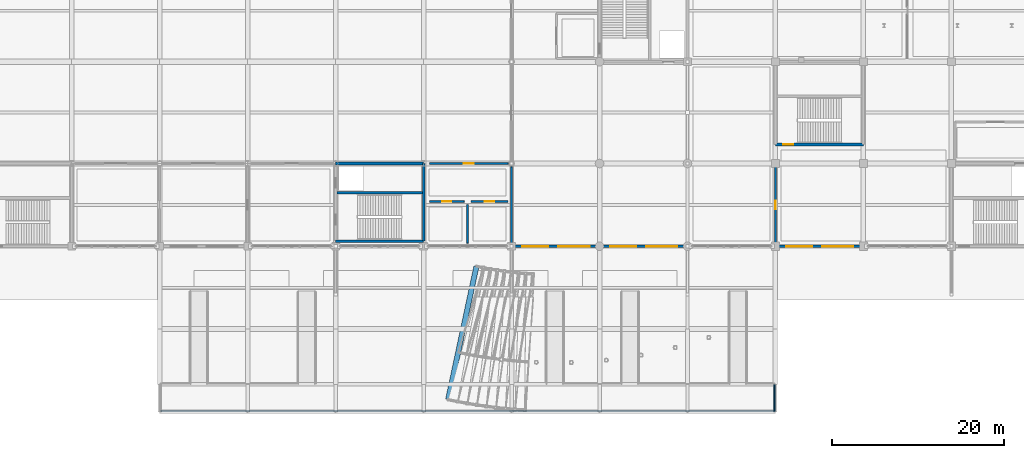
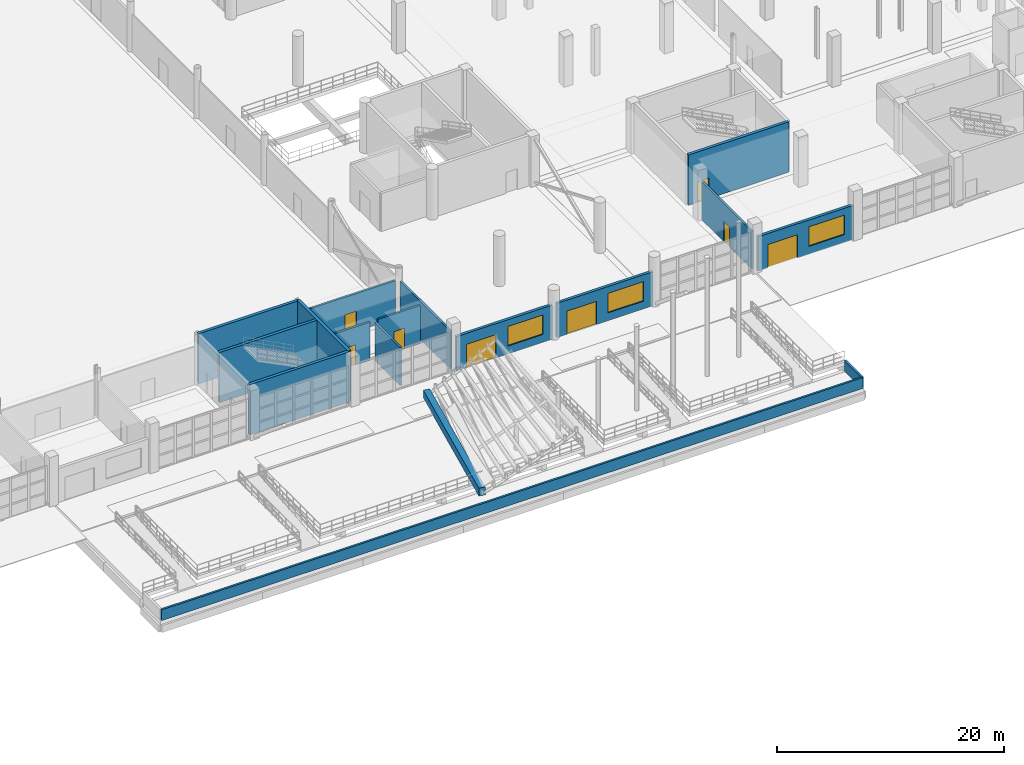
# One storey, part 91 of 124: 17 walls, 8 doors, 3 windows, 11 openings.
"""IFC4 building model written with IfcOpenShell, lengths in metres."""

from ifc_helpers import new_model, si_unit, direction, frame, frame_2d, origin, place, context, subcontext, project, spatial, rectangle, extrude, material, layer, layer_set, type_object, element, fill, save


model = new_model("IFC4")

# Units and contexts
model_context = context("Model", 3, precision=1e-05, world=origin(), true_north=direction((0.0, 1.0)))
body_context = subcontext(model_context, "Body", "Model", "MODEL_VIEW")
ifc_project = project(units=[si_unit("LENGTHUNIT", "METRE"), si_unit("AREAUNIT", "SQUARE_METRE"), si_unit("VOLUMEUNIT", "CUBIC_METRE"), si_unit("PLANEANGLEUNIT", "RADIAN"), si_unit("MASSUNIT", "GRAM", prefix="KILO")], contexts=[model_context])

# Site, building, storey
site_placement = place(None, origin())
site = spatial("IfcSite", under=ifc_project, at=site_placement, CompositionType="ELEMENT")
building_placement = place(site_placement, origin())
building = spatial("IfcBuilding", under=site, at=building_placement, Name="Brelvane Convention Centre", CompositionType="ELEMENT")
storey_placement = place(building_placement, origin())
storey = spatial("IfcBuildingStorey", under=building, at=storey_placement, Name="L00", CompositionType="ELEMENT", Elevation=0.0)

# Wall, openings, door, window
ifc_material_1 = material(Name="Insulated Autoclaved Aerated Concrete Block Grade 1", Category="concrete")
ifc_layer_1 = layer(ifc_material_1, 0.280029296875)
ifc_layer_set_1 = layer_set([ifc_layer_1], Name="Insulated Autoclaved Aerated Concrete Block Grade 1")
wall_type_1 = type_object("IfcWallType", Name="Exterior Wall EW-01", PredefinedType="STANDARD", material=ifc_layer_set_1)
wall_1_placement = place(storey_placement, frame((143.0400390625, 19.199951171875, 0.0), z_axis=(0.0, 0.0, 1.0), x_axis=(1.0, 0.0, 0.0)))
wall_1 = element("IfcWall", 1, at=wall_1_placement, inside=storey, type_object=wall_type_1, Name="Exterior Wall L00 V1S-B15", PredefinedType="STANDARD", context=body_context, shape_type="SweptSolid", body=[
    extrude(rectangle(XDim=9.719970703125, YDim=0.280029296875, at=frame_2d((4.85986328125, 0.0))), origin(), (0.0, 0.0, 1.0), 3.679931640625),
])
opening_1_placement = place(wall_1_placement, frame((1.027099609375, 0.0, 0.0)))
opening_1 = element("IfcOpeningElement", 2, at=opening_1_placement, cuts=wall_1, Name="Opening DR-EX-01", PredefinedType="OPENING", context=body_context, shape_type="SweptSolid", body=[
    extrude(rectangle(XDim=3.0, YDim=2.5, at=frame_2d((1.5, 1.25))), frame((0.0, 0.14990234375, 0.0), z_axis=(0.0, -1.0, 0.0), x_axis=(1.0, 0.0, 0.0)), (0.0, 0.0, 1.0), 0.300048828125),
])
opening_2_placement = place(wall_1_placement, frame((5.197998046875, 0.0, 0.85009765625)))
opening_2 = element("IfcOpeningElement", 3, at=opening_2_placement, cuts=wall_1, Name="Opening WN-03", PredefinedType="OPENING", context=body_context, shape_type="SweptSolid", body=[
    extrude(rectangle(XDim=3.60009765625, YDim=2.10009765625, at=frame_2d((1.800048828125, 1.050048828125))), frame((0.0, 0.14990234375, 0.0), z_axis=(0.0, -1.0, 0.0), x_axis=(1.0, 0.0, 0.0)), (0.0, 0.0, 1.0), 0.300048828125),
])
ifc_material_2 = material(Name="Anodised Aluminium Alloy 6063-T6", Category="aluminium")
door_type_1 = type_object("IfcDoorType", Name="Exterior Door DR-EX-01", OperationType="NOTDEFINED", PredefinedType="DOOR", material=ifc_material_2)
door_1_placement = place(opening_1_placement, frame((3.0, 0.0, 0.0), z_axis=(0.0, 0.0, 1.0), x_axis=(-1.0, 0.0, 0.0)))
door_1 = element("IfcDoor", 4, at=door_1_placement, inside=storey, type_object=door_type_1, Name="Final Exit Door CONC-S15A (DR-EX-01)", OperationType="DOUBLE_DOOR_SINGLE_SWING", OverallHeight=2.5, OverallWidth=3.0, PredefinedType="DOOR", context=body_context, shape_type="SweptSolid", body=[
    extrude(rectangle(XDim=3.0, YDim=2.5, at=frame_2d((1.5, 1.25))), frame((0.0, 0.02490234375, 0.0), z_axis=(0.0, -1.0, 0.0), x_axis=(1.0, 0.0, 0.0)), (0.0, 0.0, 1.0), 0.050048828125),
])
fill(opening_1, door_1)
ifc_material_3 = material(Name="Double Glazed Low-E Laminated Unit")
window_type = type_object("IfcWindowType", Name="Window WN-03", PartitioningType="TRIPLE_PANEL_VERTICAL", PredefinedType="WINDOW", material=ifc_material_3)
window_1_placement = place(opening_2_placement, origin())
window_1 = element("IfcWindow", 5, at=window_1_placement, inside=storey, type_object=window_type, Name="Facade Window L00-V1S-B15-005", OverallHeight=2.10009765625, OverallWidth=3.60009765625, PartitioningType="TRIPLE_PANEL_VERTICAL", PredefinedType="WINDOW", context=body_context, shape_type="SweptSolid", body=[
    extrude(rectangle(XDim=3.60009765625, YDim=2.10009765625, at=frame_2d((1.800048828125, 1.050048828125))), frame((0.0, 0.030029296875, 0.0), z_axis=(0.0, -1.0, 0.0), x_axis=(1.0, 0.0, 0.0)), (0.0, 0.0, 1.0), 0.06005859375),
])
fill(opening_2, window_1)

wall_2_placement = place(storey_placement, frame((153.239990234375, 19.199951171875, 0.0), z_axis=(0.0, 0.0, 1.0), x_axis=(1.0, 0.0, 0.0)))
wall_2 = element("IfcWall", 6, at=wall_2_placement, inside=storey, type_object=wall_type_1, Name="Exterior Wall L00 V1S-B16", PredefinedType="STANDARD", context=body_context, shape_type="SweptSolid", body=[
    extrude(rectangle(XDim=9.719970703125, YDim=0.280029296875, at=frame_2d((4.85986328125, 0.0))), origin(), (0.0, 0.0, 1.0), 3.679931640625),
])
opening_3_placement = place(wall_2_placement, frame((1.027099609375, 0.0, 0.0)))
opening_3 = element("IfcOpeningElement", 7, at=opening_3_placement, cuts=wall_2, Name="Opening DR-EX-01", PredefinedType="OPENING", context=body_context, shape_type="SweptSolid", body=[
    extrude(rectangle(XDim=3.0, YDim=2.5, at=frame_2d((1.5, 1.25))), frame((0.0, 0.14990234375, 0.0), z_axis=(0.0, -1.0, 0.0), x_axis=(1.0, 0.0, 0.0)), (0.0, 0.0, 1.0), 0.300048828125),
])
opening_4_placement = place(wall_2_placement, frame((5.197998046875, 0.0, 0.85009765625)))
opening_4 = element("IfcOpeningElement", 8, at=opening_4_placement, cuts=wall_2, Name="Opening WN-03", PredefinedType="OPENING", context=body_context, shape_type="SweptSolid", body=[
    extrude(rectangle(XDim=3.60009765625, YDim=2.10009765625, at=frame_2d((1.800048828125, 1.050048828125))), frame((0.0, 0.14990234375, 0.0), z_axis=(0.0, -1.0, 0.0), x_axis=(1.0, 0.0, 0.0)), (0.0, 0.0, 1.0), 0.300048828125),
])
door_2_placement = place(opening_3_placement, frame((3.0, 0.0, 0.0), z_axis=(0.0, 0.0, 1.0), x_axis=(-1.0, 0.0, 0.0)))
door_2 = element("IfcDoor", 9, at=door_2_placement, inside=storey, type_object=door_type_1, Name="Final Exit Door CONC-S16A (DR-EX-01)", OperationType="DOUBLE_DOOR_SINGLE_SWING", OverallHeight=2.5, OverallWidth=3.0, PredefinedType="DOOR", context=body_context, shape_type="SweptSolid", body=[
    extrude(rectangle(XDim=3.0, YDim=2.5, at=frame_2d((1.5, 1.25))), frame((0.0, 0.02490234375, 0.0), z_axis=(0.0, -1.0, 0.0), x_axis=(1.0, 0.0, 0.0)), (0.0, 0.0, 1.0), 0.050048828125),
])
fill(opening_3, door_2)
window_2_placement = place(opening_4_placement, origin())
window_2 = element("IfcWindow", 10, at=window_2_placement, inside=storey, type_object=window_type, Name="Facade Window L00-V1S-B16-006", OverallHeight=2.10009765625, OverallWidth=3.60009765625, PartitioningType="TRIPLE_PANEL_VERTICAL", PredefinedType="WINDOW", context=body_context, shape_type="SweptSolid", body=[
    extrude(rectangle(XDim=3.60009765625, YDim=2.10009765625, at=frame_2d((1.800048828125, 1.050048828125))), frame((0.0, 0.030029296875, 0.0), z_axis=(0.0, -1.0, 0.0), x_axis=(1.0, 0.0, 0.0)), (0.0, 0.0, 1.0), 0.06005859375),
])
fill(opening_4, window_2)

wall_3_placement = place(storey_placement, frame((173.639892578125, 19.199951171875, 0.0), z_axis=(0.0, 0.0, 1.0), x_axis=(1.0, 0.0, 0.0)))
wall_3 = element("IfcWall", 11, at=wall_3_placement, inside=storey, type_object=wall_type_1, Name="Exterior Wall L00 V1S-B18", PredefinedType="STANDARD", context=body_context, shape_type="SweptSolid", body=[
    extrude(rectangle(XDim=9.72021484375, YDim=0.280029296875, at=frame_2d((4.860107421875, 0.0))), origin(), (0.0, 0.0, 1.0), 3.679931640625),
])
opening_5_placement = place(wall_3_placement, frame((1.027099609375, 0.0, 0.0)))
opening_5 = element("IfcOpeningElement", 12, at=opening_5_placement, cuts=wall_3, Name="Opening DR-EX-01", PredefinedType="OPENING", context=body_context, shape_type="SweptSolid", body=[
    extrude(rectangle(XDim=3.0, YDim=2.5, at=frame_2d((1.5, 1.25))), frame((0.0, 0.14990234375, 0.0), z_axis=(0.0, -1.0, 0.0), x_axis=(1.0, 0.0, 0.0)), (0.0, 0.0, 1.0), 0.300048828125),
])
opening_6_placement = place(wall_3_placement, frame((5.197998046875, 0.0, 0.85009765625)))
opening_6 = element("IfcOpeningElement", 13, at=opening_6_placement, cuts=wall_3, Name="Opening WN-03", PredefinedType="OPENING", context=body_context, shape_type="SweptSolid", body=[
    extrude(rectangle(XDim=3.60009765625, YDim=2.10009765625, at=frame_2d((1.800048828125, 1.050048828125))), frame((0.0, 0.14990234375, 0.0), z_axis=(0.0, -1.0, 0.0), x_axis=(1.0, 0.0, 0.0)), (0.0, 0.0, 1.0), 0.300048828125),
])
door_3_placement = place(opening_5_placement, frame((3.0, 0.0, 0.0), z_axis=(0.0, 0.0, 1.0), x_axis=(-1.0, 0.0, 0.0)))
door_3 = element("IfcDoor", 14, at=door_3_placement, inside=storey, type_object=door_type_1, Name="Final Exit Door CONC-S18A (DR-EX-01)", OperationType="DOUBLE_DOOR_SINGLE_SWING", OverallHeight=2.5, OverallWidth=3.0, PredefinedType="DOOR", context=body_context, shape_type="SweptSolid", body=[
    extrude(rectangle(XDim=3.0, YDim=2.5, at=frame_2d((1.5, 1.25))), frame((0.0, 0.02490234375, 0.0), z_axis=(0.0, -1.0, 0.0), x_axis=(1.0, 0.0, 0.0)), (0.0, 0.0, 1.0), 0.050048828125),
])
fill(opening_5, door_3)
window_3_placement = place(opening_6_placement, origin())
window_3 = element("IfcWindow", 15, at=window_3_placement, inside=storey, type_object=window_type, Name="Facade Window L00-V1S-B18-007", OverallHeight=2.10009765625, OverallWidth=3.60009765625, PartitioningType="TRIPLE_PANEL_VERTICAL", PredefinedType="WINDOW", context=body_context, shape_type="SweptSolid", body=[
    extrude(rectangle(XDim=3.60009765625, YDim=2.10009765625, at=frame_2d((1.800048828125, 1.050048828125))), frame((0.0, 0.030029296875, 0.0), z_axis=(0.0, -1.0, 0.0), x_axis=(1.0, 0.0, 0.0)), (0.0, 0.0, 1.0), 0.06005859375),
])
fill(opening_6, window_3)

# Walls
ifc_material_4 = material(Name="Concrete M40", Category="concrete")
ifc_layer_2 = layer(ifc_material_4, 0.199951171875)
ifc_layer_set_2 = layer_set([ifc_layer_2], Name="Concrete M40")
wall_type_2 = type_object("IfcWallType", Name="Exterior Wall PW-01", PredefinedType="PARAPET", material=ifc_layer_set_2)
wall_4_placement = place(storey_placement, frame((102.10009765625, 0.10009765625, -0.89990234375), z_axis=(0.0, 0.0, 1.0), x_axis=(1.0, 0.0, 0.0)))
element("IfcWall", 16, at=wall_4_placement, inside=storey, type_object=wall_type_2, Name="Lower Boulevard Promenade Parapet 2", PredefinedType="PARAPET", context=body_context, shape_type="SweptSolid", body=[
    extrude(rectangle(XDim=71.199951171875, YDim=0.199951171875, at=frame_2d((35.60009765625, 0.0))), origin(), (0.0, 0.0, 1.0), 1.14990234375),
])
wall_5_placement = place(storey_placement, frame((173.300048828125, 0.10009765625, -0.89990234375), z_axis=(0.0, 0.0, 1.0), x_axis=(0.0, 1.0, 0.0)))
element("IfcWall", 17, at=wall_5_placement, inside=storey, type_object=wall_type_2, Name="Lower Boulevard Promenade Parapet 3", PredefinedType="PARAPET", context=body_context, shape_type="SweptSolid", body=[
    extrude(rectangle(XDim=3.02001953125, YDim=0.199951171875, at=frame_2d((1.510009765625, 0.0))), origin(), (0.0, 0.0, 1.0), 1.14990234375),
])

# Wall, opening, door
ifc_material_5 = material(Name="Fire-Rated Acoustic Gypsum Partition Board Grade A")
ifc_layer_3 = layer(ifc_material_5, 0.199951171875)
ifc_layer_set_3 = layer_set([ifc_layer_3], Name="Fire-Rated Acoustic Gypsum Partition Board Grade A")
wall_type_3 = type_object("IfcWallType", Name="Interior Wall IW-FR-200", PredefinedType="PARTITIONING", material=ifc_layer_set_3)
wall_6_placement = place(storey_placement, frame((133.300048828125, 24.39990234375, 0.0), z_axis=(0.0, 0.0, 1.0), x_axis=(1.0, 0.0, 0.0)))
wall_6 = element("IfcWall", 18, at=wall_6_placement, inside=storey, type_object=wall_type_3, Name="Interior Partition L00-WC-M0", PredefinedType="PARTITIONING", context=body_context, shape_type="SweptSolid", body=[
    extrude(rectangle(XDim=4.0, YDim=0.199951171875, at=frame_2d((2.0, 0.0))), origin(), (0.0, 0.0, 1.0), 4.080078125),
])
opening_7_placement = place(wall_6_placement, frame((1.47509765625, 0.0, 0.0)))
opening_7 = element("IfcOpeningElement", 19, at=opening_7_placement, cuts=wall_6, Name="Opening DR-IN-01R", PredefinedType="OPENING", context=body_context, shape_type="SweptSolid", body=[
    extrude(rectangle(XDim=1.050048828125, YDim=2.14990234375, at=frame_2d((0.52490234375, 1.074951171875))), frame((0.0, 0.10986328125, 0.0), z_axis=(0.0, -1.0, 0.0), x_axis=(1.0, 0.0, 0.0)), (0.0, 0.0, 1.0), 0.219970703125),
])
ifc_material_6 = material(Name="Solid-Core Fire-Rated Hardwood Leaf Grade 1", Category="wood")
door_type_2 = type_object("IfcDoorType", Name="Interior Door DR-IN-01R", OperationType="NOTDEFINED", PredefinedType="DOOR", material=ifc_material_6)
door_4_placement = place(opening_7_placement, origin())
door_4 = element("IfcDoor", 20, at=door_4_placement, inside=storey, type_object=door_type_2, Name="Interior Door L00-WC-M0 (DR-IN-01R)", OperationType="SINGLE_SWING_RIGHT", OverallHeight=2.14990234375, OverallWidth=1.050048828125, PredefinedType="DOOR", context=body_context, shape_type="SweptSolid", body=[
    extrude(rectangle(XDim=1.050048828125, YDim=2.14990234375, at=frame_2d((0.52490234375, 1.074951171875))), frame((0.0, 0.02490234375, 0.0), z_axis=(0.0, -1.0, 0.0), x_axis=(1.0, 0.0, 0.0)), (0.0, 0.0, 1.0), 0.050048828125),
])
fill(opening_7, door_4)

wall_7_placement = place(storey_placement, frame((138.10009765625, 24.39990234375, 0.0), z_axis=(0.0, 0.0, 1.0), x_axis=(1.0, 0.0, 0.0)))
wall_7 = element("IfcWall", 21, at=wall_7_placement, inside=storey, type_object=wall_type_3, Name="Interior Partition L00-WC-F0", PredefinedType="PARTITIONING", context=body_context, shape_type="SweptSolid", body=[
    extrude(rectangle(XDim=4.2998046875, YDim=0.199951171875, at=frame_2d((2.14990234375, 0.0))), origin(), (0.0, 0.0, 1.0), 4.080078125),
])
opening_8_placement = place(wall_7_placement, frame((1.60009765625, 0.0, 0.0)))
opening_8 = element("IfcOpeningElement", 22, at=opening_8_placement, cuts=wall_7, Name="Opening DR-IN-02L", PredefinedType="OPENING", context=body_context, shape_type="SweptSolid", body=[
    extrude(rectangle(XDim=1.10009765625, YDim=2.199951171875, at=frame_2d((0.550048828125, 1.10009765625))), frame((0.0, 0.10986328125, 0.0), z_axis=(0.0, -1.0, 0.0), x_axis=(1.0, 0.0, 0.0)), (0.0, 0.0, 1.0), 0.219970703125),
])
ifc_material_7 = material(Name="Solid-Core Fire-Rated Hardwood Leaf Grade 1", Category="wood")
door_type_3 = type_object("IfcDoorType", Name="Interior Door DR-IN-02L", OperationType="NOTDEFINED", PredefinedType="DOOR", material=ifc_material_7)
door_5_placement = place(opening_8_placement, origin())
door_5 = element("IfcDoor", 23, at=door_5_placement, inside=storey, type_object=door_type_3, Name="Interior Door L00-WC-F0 (DR-IN-02L)", OperationType="SINGLE_SWING_LEFT", OverallHeight=2.199951171875, OverallWidth=1.10009765625, PredefinedType="DOOR", context=body_context, shape_type="SweptSolid", body=[
    extrude(rectangle(XDim=1.10009765625, YDim=2.199951171875, at=frame_2d((0.550048828125, 1.10009765625))), frame((0.0, 0.02490234375, 0.0), z_axis=(0.0, -1.0, 0.0), x_axis=(1.0, 0.0, 0.0)), (0.0, 0.0, 1.0), 0.050048828125),
])
fill(opening_8, door_5)

wall_8_placement = place(storey_placement, frame((133.300048828125, 28.800048828125, 0.0), z_axis=(0.0, 0.0, 1.0), x_axis=(1.0, 0.0, 0.0)))
wall_8 = element("IfcWall", 24, at=wall_8_placement, inside=storey, type_object=wall_type_3, Name="Interior Partition L00-WC-AN", PredefinedType="PARTITIONING", context=body_context, shape_type="SweptSolid", body=[
    extrude(rectangle(XDim=9.099853515625, YDim=0.199951171875, at=frame_2d((4.5498046875, 0.0))), origin(), (0.0, 0.0, 1.0), 4.080078125),
])
opening_9_placement = place(wall_8_placement, frame((3.97509765625, 0.0, 0.0)))
opening_9 = element("IfcOpeningElement", 25, at=opening_9_placement, cuts=wall_8, Name="Opening DR-IN-02R", PredefinedType="OPENING", context=body_context, shape_type="SweptSolid", body=[
    extrude(rectangle(XDim=1.14990234375, YDim=2.199951171875, at=frame_2d((0.574951171875, 1.10009765625))), frame((0.0, 0.10986328125, 0.0), z_axis=(0.0, -1.0, 0.0), x_axis=(1.0, 0.0, 0.0)), (0.0, 0.0, 1.0), 0.219970703125),
])
ifc_material_8 = material(Name="Solid-Core Fire-Rated Hardwood Leaf Grade 1", Category="wood")
door_type_4 = type_object("IfcDoorType", Name="Interior Door DR-IN-02R", OperationType="NOTDEFINED", PredefinedType="DOOR", material=ifc_material_8)
door_6_placement = place(opening_9_placement, origin())
door_6 = element("IfcDoor", 26, at=door_6_placement, inside=storey, type_object=door_type_4, Name="Interior Door L00-WC-AN (DR-IN-02R)", OperationType="SINGLE_SWING_RIGHT", OverallHeight=2.199951171875, OverallWidth=1.14990234375, PredefinedType="DOOR", context=body_context, shape_type="SweptSolid", body=[
    extrude(rectangle(XDim=1.14990234375, YDim=2.199951171875, at=frame_2d((0.574951171875, 1.10009765625))), frame((0.0, 0.02490234375, 0.0), z_axis=(0.0, -1.0, 0.0), x_axis=(1.0, 0.0, 0.0)), (0.0, 0.0, 1.0), 0.050048828125),
])
fill(opening_9, door_6)

wall_9_placement = place(storey_placement, frame((173.39990234375, 19.60009765625, 0.0), z_axis=(0.0, 0.0, 1.0), x_axis=(0.0, 1.0, 0.0)))
wall_9 = element("IfcWall", 27, at=wall_9_placement, inside=storey, type_object=wall_type_3, Name="Interior Partition L00-DRST1", PredefinedType="PARTITIONING", context=body_context, shape_type="SweptSolid", body=[
    extrude(rectangle(XDim=8.7998046875, YDim=0.199951171875, at=frame_2d((4.39990234375, 0.0))), origin(), (0.0, 0.0, 1.0), 4.080078125),
])
opening_10_placement = place(wall_9_placement, frame((3.89990234375, 0.0, 0.0)))
opening_10 = element("IfcOpeningElement", 28, at=opening_10_placement, cuts=wall_9, Name="Opening DR-IN-01L", PredefinedType="OPENING", context=body_context, shape_type="SweptSolid", body=[
    extrude(rectangle(XDim=1.0, YDim=2.14990234375, at=frame_2d((0.5, 1.074951171875))), frame((0.0, 0.10986328125, 0.0), z_axis=(0.0, -1.0, 0.0), x_axis=(1.0, 0.0, 0.0)), (0.0, 0.0, 1.0), 0.219970703125),
])
ifc_material_9 = material(Name="Solid-Core Fire-Rated Hardwood Leaf Grade 1", Category="wood")
door_type_5 = type_object("IfcDoorType", Name="Interior Door DR-IN-01L", OperationType="NOTDEFINED", PredefinedType="DOOR", material=ifc_material_9)
door_7_placement = place(opening_10_placement, origin())
door_7 = element("IfcDoor", 29, at=door_7_placement, inside=storey, type_object=door_type_5, Name="Interior Door L00-DRST1 (DR-IN-01L)", OperationType="SINGLE_SWING_LEFT", OverallHeight=2.14990234375, OverallWidth=1.0, PredefinedType="DOOR", context=body_context, shape_type="SweptSolid", body=[
    extrude(rectangle(XDim=1.0, YDim=2.14990234375, at=frame_2d((0.5, 1.074951171875))), frame((0.0, 0.02490234375, 0.0), z_axis=(0.0, -1.0, 0.0), x_axis=(1.0, 0.0, 0.0)), (0.0, 0.0, 1.0), 0.050048828125),
])
fill(opening_10, door_7)

# Walls
wall_10_placement = place(storey_placement, frame((142.800048828125, 19.580078125, 0.0), z_axis=(0.0, 0.0, 1.0), x_axis=(0.0, 1.0, 0.0)))
element("IfcWall", 30, at=wall_10_placement, inside=storey, type_object=wall_type_3, Name="Interior Partition L00-WCDIV-L0E", PredefinedType="PARTITIONING", context=body_context, shape_type="SweptSolid", body=[
    extrude(rectangle(XDim=8.83984375, YDim=0.199951171875, at=frame_2d((4.419921875, 0.0))), origin(), (0.0, 0.0, 1.0), 4.080078125),
])
wall_11_placement = place(storey_placement, frame((137.699951171875, 19.580078125, 0.0), z_axis=(0.0, 0.0, 1.0), x_axis=(0.0, 1.0, 0.0)))
element("IfcWall", 31, at=wall_11_placement, inside=storey, type_object=wall_type_3, Name="Interior Partition L00-WCDIV-L0B", PredefinedType="PARTITIONING", context=body_context, shape_type="SweptSolid", body=[
    extrude(rectangle(XDim=4.43994140625, YDim=0.199951171875, at=frame_2d((2.219970703125, 0.0))), origin(), (0.0, 0.0, 1.0), 4.080078125),
])
ifc_material_10 = material(Name="Concrete M50", Category="concrete")
ifc_layer_4 = layer(ifc_material_10, 0.60009765625)
ifc_layer_set_4 = layer_set([ifc_layer_4], Name="Concrete M50")
wall_type_4 = type_object("IfcWallType", Name="Structural Wall WL-BUTT-600", PredefinedType="SHEAR", material=ifc_layer_set_4)
wall_12_placement = place(storey_placement, frame((138.72705078125, 16.87451171875, 0.0), z_axis=(0.0, 0.0, 1.0), x_axis=(-0.207907913958, -0.978148403522, 0.0)))
element("IfcWall", 32, at=wall_12_placement, inside=storey, type_object=wall_type_4, Name="Canopy Forecourt Thrust Buttress Pier", PredefinedType="SHEAR", context=body_context, shape_type="SweptSolid", body=[
    extrude(rectangle(XDim=15.7998046875, YDim=0.60009765625, at=frame_2d((7.89990234375, 0.0))), origin(), (0.0, 0.0, 1.0), 0.85009765625),
])
ifc_material_11 = material(Name="Concrete M50", Category="concrete")
ifc_layer_5 = layer(ifc_material_11, 0.300048828125)
ifc_layer_set_5 = layer_set([ifc_layer_5], Name="Concrete M50")
wall_type_5 = type_object("IfcWallType", Name="Structural Wall WL-CORE-300", PredefinedType="SHEAR", material=ifc_layer_set_5)
for number, where, z_axis, x_axis, name in (
    (33, (122.39990234375, 19.800048828125, 0.0), (0.0, 0.0, 1.0), (1.0, 0.0, 0.0), "Core C2 Shear Wall S (L00)"),
    (34, (122.39990234375, 28.800048828125, 0.0), (0.0, 0.0, 1.0), (1.0, 0.0, 0.0), "Core C2 Shear Wall N (L00)"),
):
    element("IfcWall", number, at=place(storey_placement, frame(where, z_axis=z_axis, x_axis=x_axis)), inside=storey, type_object=wall_type_5, Name=name, PredefinedType="SHEAR", context=body_context, shape_type="SweptSolid", body=[
        extrude(rectangle(XDim=10.2001953125, YDim=0.300048828125, at=frame_2d((5.10009765625, 0.0))), origin(), (0.0, 0.0, 1.0), 5.39990234375),
    ])
wall_13_placement = place(storey_placement, frame((132.60009765625, 19.800048828125, 0.0), z_axis=(0.0, 0.0, 1.0), x_axis=(0.0, 1.0, 0.0)))
element("IfcWall", 35, at=wall_13_placement, inside=storey, type_object=wall_type_5, Name="Core C2 Shear Wall E (L00)", PredefinedType="SHEAR", context=body_context, shape_type="SweptSolid", body=[
    extrude(rectangle(XDim=9.0, YDim=0.300048828125, at=frame_2d((4.5, 0.0))), origin(), (0.0, 0.0, 1.0), 5.39990234375),
])
wall_14_placement = place(storey_placement, frame((122.550048828125, 25.39990234375, 0.0), z_axis=(0.0, 0.0, 1.0), x_axis=(1.0, 0.0, 0.0)))
element("IfcWall", 36, at=wall_14_placement, inside=storey, type_object=wall_type_5, Name="Core C2 Shaft Divider Wall (L00)", PredefinedType="SHEAR", context=body_context, shape_type="SweptSolid", body=[
    extrude(rectangle(XDim=9.89990234375, YDim=0.300048828125, at=frame_2d((4.949951171875, 0.0))), origin(), (0.0, 0.0, 1.0), 5.39990234375),
])

# Wall, opening, door
wall_15_placement = place(storey_placement, frame((173.39990234375, 31.0, 0.0), z_axis=(0.0, 0.0, 1.0), x_axis=(1.0, 0.0, 0.0)))
wall_15 = element("IfcWall", 37, at=wall_15_placement, inside=storey, type_object=wall_type_5, Name="Stair Core ST-18 Wall S (L00)", PredefinedType="SHEAR", context=body_context, shape_type="SweptSolid", body=[
    extrude(rectangle(XDim=10.2001953125, YDim=0.300048828125, at=frame_2d((5.10009765625, 0.0))), origin(), (0.0, 0.0, 1.0), 5.39990234375),
])
opening_11_placement = place(wall_15_placement, frame((0.919921875, 0.0, 0.0)))
opening_11 = element("IfcOpeningElement", 38, at=opening_11_placement, cuts=wall_15, Name="Opening DR-IN-04L", PredefinedType="OPENING", context=body_context, shape_type="SweptSolid", body=[
    extrude(rectangle(XDim=1.159912109375, YDim=2.199951171875, at=frame_2d((0.580078125, 1.10009765625))), frame((0.0, 0.159912109375, 0.0), z_axis=(0.0, -1.0, 0.0), x_axis=(1.0, 0.0, 0.0)), (0.0, 0.0, 1.0), 0.320068359375),
])
ifc_material_12 = material(Name="Galvanised Hollow-Metal Fire Door Steel E250", Category="steel")
door_type_6 = type_object("IfcDoorType", Name="Interior Door DR-IN-04L", OperationType="NOTDEFINED", PredefinedType="DOOR", material=ifc_material_12)
door_8_placement = place(opening_11_placement, origin())
door_8 = element("IfcDoor", 39, at=door_8_placement, inside=storey, type_object=door_type_6, Name="Stair ST-18 Entry Door (L00)", OperationType="SINGLE_SWING_LEFT", OverallHeight=2.199951171875, OverallWidth=1.159912109375, PredefinedType="DOOR", context=body_context, shape_type="SweptSolid", body=[
    extrude(rectangle(XDim=1.159912109375, YDim=2.199951171875, at=frame_2d((0.580078125, 1.10009765625))), frame((0.0, 0.02490234375, 0.0), z_axis=(0.0, -1.0, 0.0), x_axis=(1.0, 0.0, 0.0)), (0.0, 0.0, 1.0), 0.050048828125),
])
fill(opening_11, door_8)

save(model, "model.ifc")
